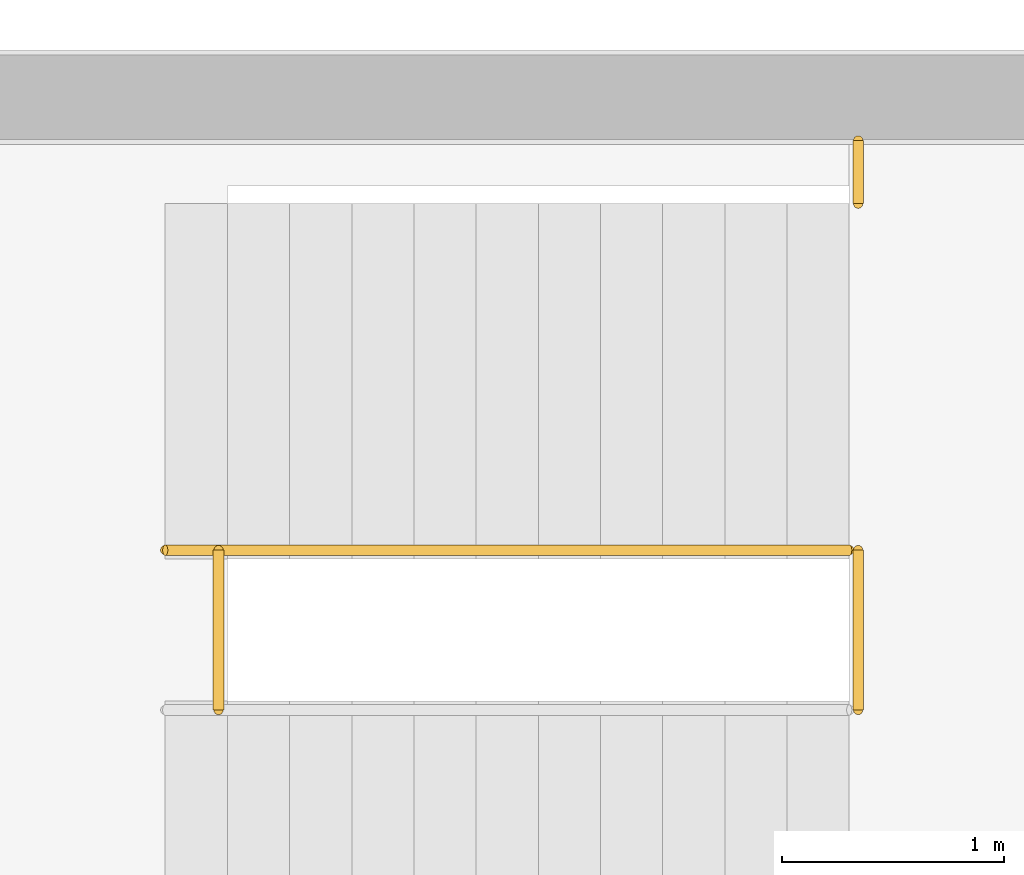
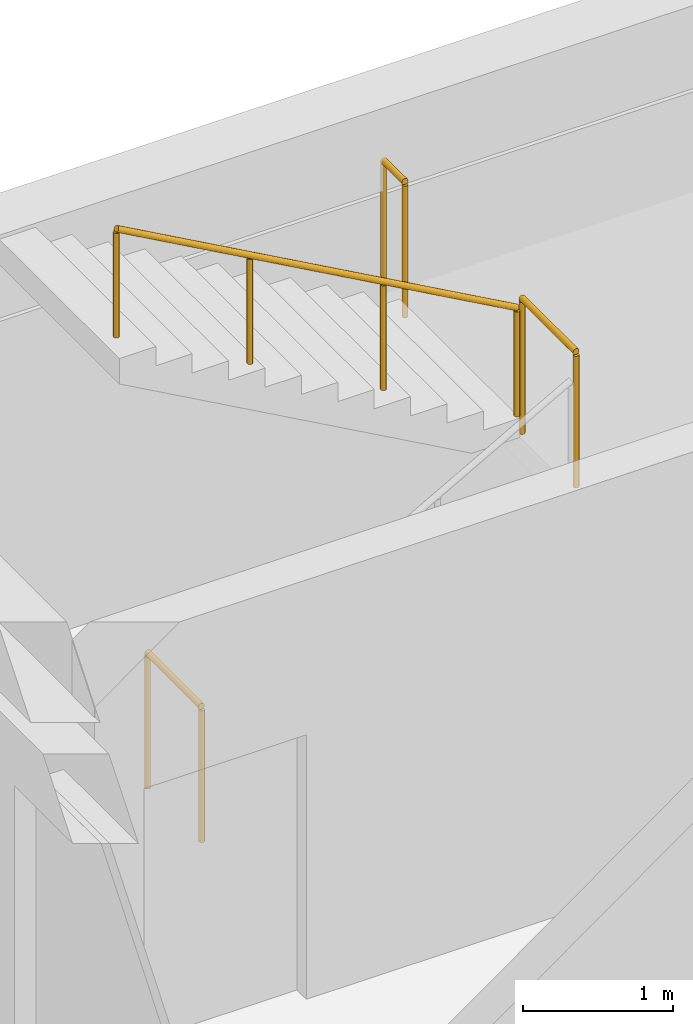
# One storey, part 37 of 42: 4 railings.
"""IFC4 building model written with IfcOpenShell, lengths in metres."""

from ifc_helpers import new_model, si_unit, direction, frame, origin, origin_2d, place, context, subcontext, project, spatial, circle, extrude, material, type_object, element, save


model = new_model("IFC4")

# Units and contexts
model_context = context("Model", 3, precision=1e-05, world=origin(), true_north=direction((0.0, 1.0)))
body_context = subcontext(model_context, "Body", "Model", "MODEL_VIEW")
ifc_project = project(units=[si_unit("LENGTHUNIT", "METRE"), si_unit("AREAUNIT", "SQUARE_METRE"), si_unit("VOLUMEUNIT", "CUBIC_METRE"), si_unit("PLANEANGLEUNIT", "RADIAN"), si_unit("MASSUNIT", "GRAM", prefix="KILO")], contexts=[model_context])

# Site, building, storey
site_placement = place(None, origin())
site = spatial("IfcSite", under=ifc_project, at=site_placement, CompositionType="ELEMENT")
building_placement = place(site_placement, origin())
building = spatial("IfcBuilding", under=site, at=building_placement, Name="Naurynzar Civic Courthouse", CompositionType="ELEMENT")
storey_placement = place(building_placement, frame((0.0, 0.0, 18.300048828125)))
storey = spatial("IfcBuildingStorey", under=building, at=storey_placement, Name="L05", CompositionType="ELEMENT", Elevation=18.300048828125)

# Railings
ifc_material_1 = material(Name="Brushed Stainless Steel 304", Category="steel")
railing_type_1 = type_object("IfcRailingType", Name="RAIL-BAL-1100", PredefinedType="BALUSTRADE", material=ifc_material_1)
for number, where, name in (
    (1, (79.139892578125, 29.239990234375, 0.0), "Stair ST-V3A floor well slot guard L05"),
    (2, (82.02001953125, 29.239990234375, 1.875), "Stair ST-V3A-L05 half-landing well guard"),
):
    element("IfcRailing", number, at=place(storey_placement, frame(where)), inside=storey, type_object=railing_type_1, Name=name, PredefinedType="BALUSTRADE", context=body_context, shape_type="SweptSolid", body=[
        extrude(circle(Radius=0.02392578125, at=origin_2d()), frame((0.0, 0.0, 1.09619140625), z_axis=(0.0, 1.0, 0.0), x_axis=(-1.0, 0.0, 0.0)), (0.0, 0.0, 1.0), 0.719970703125),
        extrude(circle(Radius=0.02099609375, at=origin_2d()), origin(), (0.0, 0.0, 1.0), 1.072021484375),
        extrude(circle(Radius=0.02099609375, at=origin_2d()), frame((0.0, 0.719970703125, 0.0)), (0.0, 0.0, 1.0), 1.072021484375),
    ])
railing_1_placement = place(storey_placement, frame((82.02001953125, 31.52001953125, 1.875)))
element("IfcRailing", 3, at=railing_1_placement, inside=storey, type_object=railing_type_1, Name="Stair ST-V3A-L05 half-landing north slot guard", PredefinedType="BALUSTRADE", context=body_context, shape_type="SweptSolid", body=[
    extrude(circle(Radius=0.02392578125, at=origin_2d()), frame((0.0, 0.0, 1.09619140625), z_axis=(0.0, 1.0, 0.0), x_axis=(-1.0, 0.0, 0.0)), (0.0, 0.0, 1.0), 0.284912109375),
    extrude(circle(Radius=0.02099609375, at=origin_2d()), origin(), (0.0, 0.0, 1.0), 1.072021484375),
    extrude(circle(Radius=0.02099609375, at=origin_2d()), frame((0.0, 0.284912109375, 0.0)), (0.0, 0.0, 1.0), 1.072021484375),
])
ifc_material_2 = material(Name="Brushed Stainless Steel 304", Category="steel")
railing_type_2 = type_object("IfcRailingType", Name="RAIL-HR-900", PredefinedType="HANDRAIL", material=ifc_material_2)
railing_2_placement = place(storey_placement, frame((81.97998046875, 29.9599609375, 2.03125)))
element("IfcRailing", 4, at=railing_2_placement, inside=storey, type_object=railing_type_2, Name="Stair ST-V3A-L05 flight 2 handrail", PredefinedType="HANDRAIL", context=body_context, shape_type="SweptSolid", body=[
    extrude(circle(Radius=0.02392578125, at=origin_2d()), frame((0.0, 0.0, 0.8759765625), z_axis=(-0.873241540666, 0.0, 0.487287606713), x_axis=(0.0, -1.0, 0.0)), (0.0, 0.0, 1.0), 3.527099609375),
    extrude(circle(Radius=0.02099609375, at=origin_2d()), origin(), (0.0, 0.0, 1.0), 0.851806640625),
    extrude(circle(Radius=0.02099609375, at=origin_2d()), frame((-1.026611328125, 0.0, 0.572998046875)), (0.0, 0.0, 1.0), 0.851806640625),
    extrude(circle(Radius=0.02099609375, at=origin_2d()), frame((-2.053466796875, 0.0, 1.145751953125)), (0.0, 0.0, 1.0), 0.851806640625),
    extrude(circle(Radius=0.02099609375, at=origin_2d()), frame((-3.080078125, 0.0, 1.71875)), (0.0, 0.0, 1.0), 0.851806640625),
])

save(model, "model.ifc")
